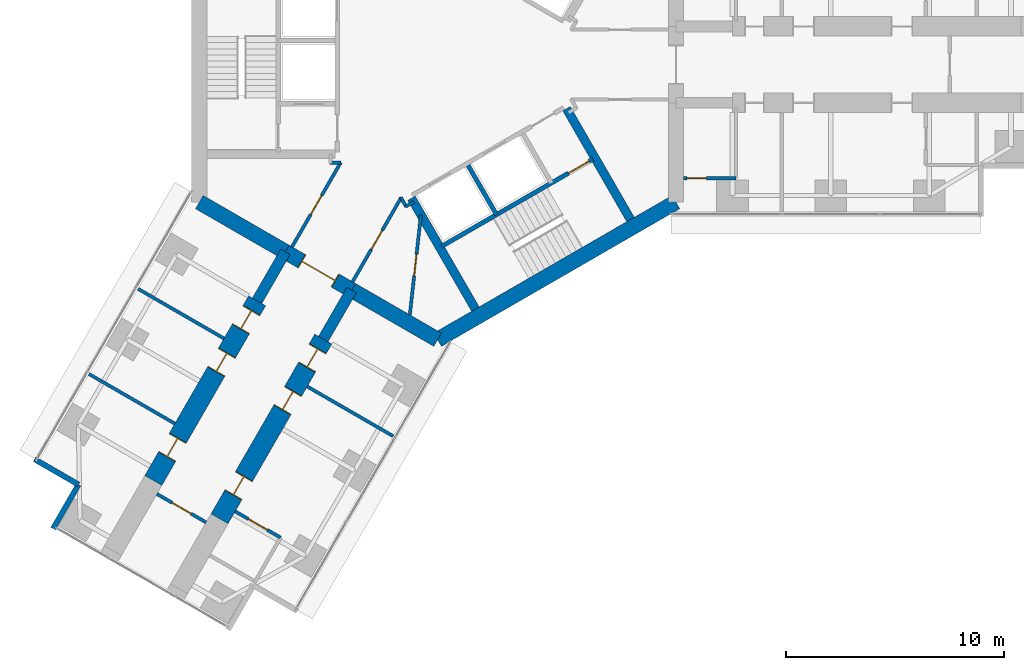
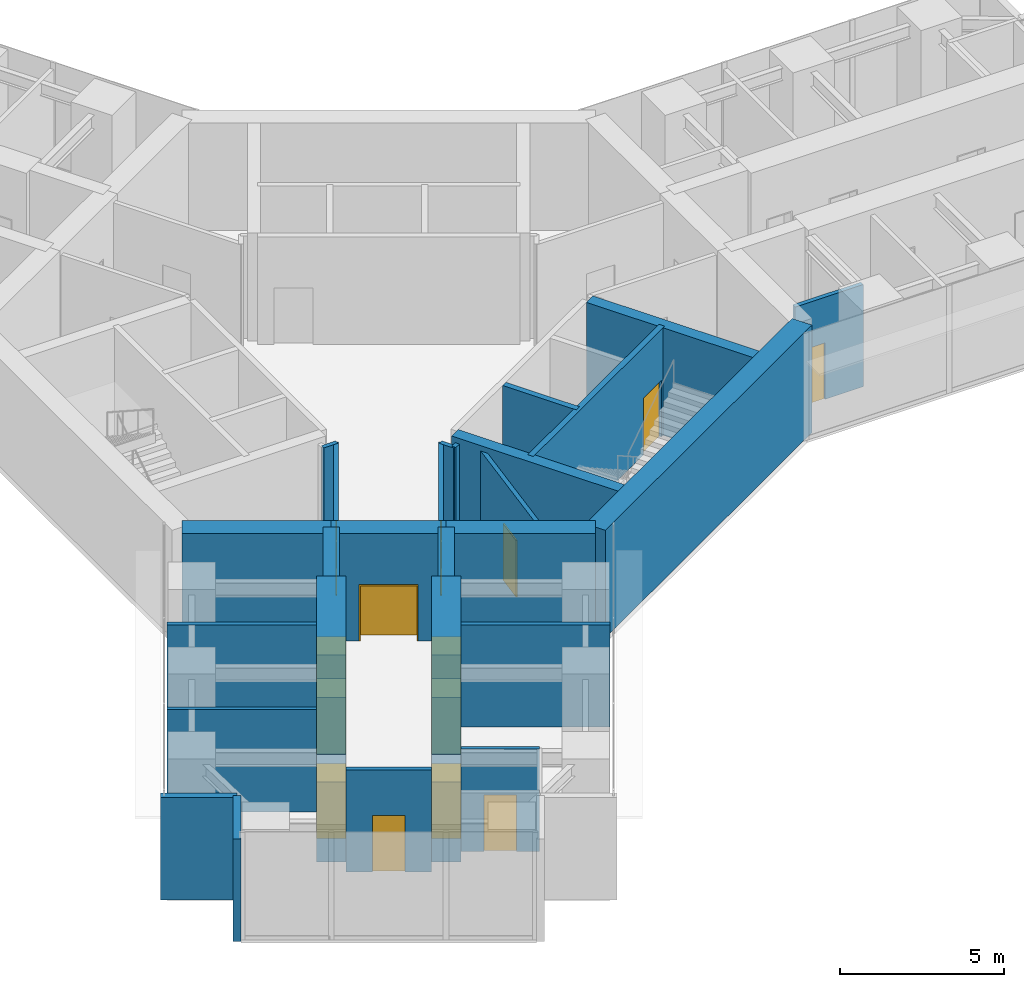
# One storey, part 16 of 24: 26 walls, 14 doors, 14 openings.
"""IFC4 building model written with IfcOpenShell, lengths in metres."""

import ifcopenshell
import ifcopenshell.guid

model = None  # the IFC model being written
_history = None  # IfcOwnerHistory: only IFC2X3 demands one
_inside = {}  # id of a spatial element -> (the spatial element, [elements in it])
_under = {}  # id of a project, library or spatial element -> (it, [spatial elements below it])
_declared = {}  # id of a project -> (the project, [libraries it declares])
_typed = {}  # id of a type object -> (the type object, [elements of that type])
_made_of = {}  # id of a material, layer set ... -> (it, [elements and type objects made of it])


def new_model(schema):
    """Start an empty IFC model of exactly this schema.

    Asked for "IFC4X3", IfcOpenShell would pick the latest addendum, in which some entities
    have other attributes; the version numbers below select the first issue.
    IFC2X3 requires an IfcOwnerHistory on every rooted entity: one is made here for all.
    """
    global model, _history
    if schema == "IFC4X3":
        model = ifcopenshell.file(schema_version=(4, 3, 0, 0))
    else:
        model = ifcopenshell.file(schema=schema)
    _inside.clear()
    _under.clear()
    _declared.clear()
    _typed.clear()
    _made_of.clear()
    _history = None
    if model.schema == "IFC2X3":
        org = make("IfcOrganization", Name="unknown")
        user = make(
            "IfcPersonAndOrganization",
            ThePerson=make("IfcPerson", FamilyName="unknown"),
            TheOrganization=org,
        )
        app = make(
            "IfcApplication",
            ApplicationDeveloper=org,
            Version="unknown",
            ApplicationFullName="unknown",
            ApplicationIdentifier="unknown",
        )
        _history = make(
            "IfcOwnerHistory",
            OwningUser=user,
            OwningApplication=app,
            ChangeAction="ADDED",
            CreationDate=0,
        )
    return model


def make(cls, **values):
    """One entity of the class cls with the attributes given. An attribute that is None is left unset."""
    return model.create_entity(
        cls, **{name: value for name, value in values.items() if value is not None}
    )


def rooted(cls, **values):
    """An entity with a GlobalId (a new one), such as an element, a storey or a relation."""
    return make(cls, GlobalId=ifcopenshell.guid.new(), OwnerHistory=_history, **values)


def si_unit(unit_type, name, prefix=None):
    """IfcSIUnit, for example si_unit("LENGTHUNIT", "METRE", prefix="MILLI")."""
    return make("IfcSIUnit", UnitType=unit_type, Prefix=prefix, Name=name)


def assignment(units):
    """IfcUnitAssignment: the units of a project."""
    return None if units is None else make("IfcUnitAssignment", Units=units)


def point(xyz):
    """IfcCartesianPoint."""
    return None if xyz is None else make("IfcCartesianPoint", Coordinates=xyz)


def direction(xyz):
    """IfcDirection."""
    return None if xyz is None else make("IfcDirection", DirectionRatios=xyz)


def frame(location, z_axis=None, x_axis=None):
    """IfcAxis2Placement3D, a coordinate frame: its origin and axes. An axis left out is left unset."""
    return make(
        "IfcAxis2Placement3D",
        Location=point(location),
        Axis=direction(z_axis),
        RefDirection=direction(x_axis),
    )


def frame_2d(location, x_axis=None):
    """IfcAxis2Placement2D, a coordinate frame in the plane: its origin and x axis."""
    return make(
        "IfcAxis2Placement2D", Location=point(location), RefDirection=direction(x_axis)
    )


def origin():
    """The frame at (0, 0, 0) with its axes left unset."""
    return frame((0.0, 0.0, 0.0))


def place(relative_to, where):
    """IfcLocalPlacement: puts the frame where relative to a parent placement (None: the world)."""
    return make(
        "IfcLocalPlacement", PlacementRelTo=relative_to, RelativePlacement=where
    )


def context(
    kind, dimensions, precision=None, world=None, true_north=None, identifier=None
):
    """IfcGeometricRepresentationContext, for example the 3D "Model" context."""
    return make(
        "IfcGeometricRepresentationContext",
        ContextIdentifier=identifier,
        ContextType=kind,
        CoordinateSpaceDimension=dimensions,
        Precision=precision,
        WorldCoordinateSystem=world,
        TrueNorth=true_north,
    )


def subcontext(parent, identifier, kind, view, scale=None):
    """IfcGeometricRepresentationSubContext, for example "Body" below "Model"."""
    return make(
        "IfcGeometricRepresentationSubContext",
        ContextIdentifier=identifier,
        ContextType=kind,
        ParentContext=parent,
        TargetScale=scale,
        TargetView=view,
    )


def project(units=None, contexts=None):
    """IfcProject with its units and contexts."""
    return rooted(
        "IfcProject",
        Name="project",
        RepresentationContexts=contexts,
        UnitsInContext=assignment(units),
    )


def spatial(cls, under=None, at=None, **own):
    """A site, building, storey or space (cls), placed at a placement, below another one or the project."""
    s = rooted(cls, ObjectPlacement=at, **own)
    if under is not None:
        _under.setdefault(under.id(), (under, []))[1].append(s)
    return s


def profile(cls, at=None, kind="AREA", **sizes):
    """A parametric profile (cls). Its sizes go by their IFC names, for example OverallWidth=200.0."""
    return make(cls, ProfileType=kind, Position=at, **sizes)


def rectangle(**sizes):
    """IfcRectangleProfileDef."""
    return profile("IfcRectangleProfileDef", **sizes)


def extrude(swept, where, along, depth):
    """IfcExtrudedAreaSolid: the profile swept, set in the frame where, extruded along a direction by depth."""
    return make(
        "IfcExtrudedAreaSolid",
        SweptArea=swept,
        Position=where,
        ExtrudedDirection=direction(along),
        Depth=depth,
    )


def shape(context_of_items, identifier, shape_type, items):
    """IfcShapeRepresentation: the items that make up one representation, for example the "Body"."""
    return make(
        "IfcShapeRepresentation",
        ContextOfItems=context_of_items,
        RepresentationIdentifier=identifier,
        RepresentationType=shape_type,
        Items=items,
    )


def material(Name=None, Category=None):
    """IfcMaterial."""
    return make("IfcMaterial", Name=Name, Category=Category)


def layer(
    of_material, thickness, ventilated=None, Name=None, Category=None, Priority=None
):
    """IfcMaterialLayer: one layer of a wall or slab, of a material (None: an air gap)."""
    return make(
        "IfcMaterialLayer",
        Material=of_material,
        LayerThickness=thickness,
        IsVentilated=ventilated,
        Name=Name,
        Category=Category,
        Priority=Priority,
    )


def layer_set(layers, Name=None):
    """IfcMaterialLayerSet."""
    return make("IfcMaterialLayerSet", MaterialLayers=layers, LayerSetName=Name)


def made_of(thing, what):
    """Note that an element or type object is made of a material, layer set ...; save() writes the relation."""
    if what is not None:
        _made_of.setdefault(what.id(), (what, []))[1].append(thing)
    return thing


def type_object(cls, material=None, **own):
    """A type object (cls), such as IfcWallType, which elements share."""
    return made_of(rooted(cls, **own), material)


def element(
    cls,
    number,
    at=None,
    inside=None,
    cuts=None,
    type_object=None,
    material=None,
    context=None,
    identifier="Body",
    shape_type=None,
    held_by="IfcProductDefinitionShape",
    body=None,
    shapes=None,
    **own,
):
    """One element of the class cls, such as IfcWall. Its Tag is "e" and its number.

    at: its placement. inside: the storey or other place that contains it. cuts: it is an
    opening in that element (IfcRelVoidsElement). A single representation is given by context,
    identifier, shape_type and body (its items); several are given by shapes. held_by: the class
    of the entity that holds the representations. save() writes the other relations.
    """
    e = rooted(cls, Tag="e%d" % number, ObjectPlacement=at, **own)
    if body is not None:
        shapes = [shape(context, identifier, shape_type, body)]
    if shapes is not None:
        e.Representation = make(held_by, Representations=shapes)
    if inside is not None:
        _inside.setdefault(inside.id(), (inside, []))[1].append(e)
    if cuts is not None:
        rooted(
            "IfcRelVoidsElement", RelatingBuildingElement=cuts, RelatedOpeningElement=e
        )
    if type_object is not None:
        _typed.setdefault(type_object.id(), (type_object, []))[1].append(e)
    return made_of(e, material)


def fill(opening, filler):
    """IfcRelFillsElement: the door or window that sits in an opening."""
    return rooted(
        "IfcRelFillsElement",
        RelatingOpeningElement=opening,
        RelatedBuildingElement=filler,
    )


def aggregate(whole, parts):
    """IfcRelAggregates: a whole, such as a stair, and the parts it consists of."""
    return rooted("IfcRelAggregates", RelatingObject=whole, RelatedObjects=parts)


def save(model, path):
    """Write the relations noted so far, then the file.

    IfcRelAggregates (storeys below a building ...), IfcRelContainedInSpatialStructure (elements
    in a storey), IfcRelDefinesByType, IfcRelAssociatesMaterial and IfcRelDeclares: one each for
    every whole, place, type object, material and project.
    """
    for whole, parts in _under.values():
        aggregate(whole, parts)
    for where, things in _inside.values():
        rooted(
            "IfcRelContainedInSpatialStructure",
            RelatedElements=things,
            RelatingStructure=where,
        )
    for kind, things in _typed.values():
        rooted("IfcRelDefinesByType", RelatedObjects=things, RelatingType=kind)
    for what, things in _made_of.values():
        rooted("IfcRelAssociatesMaterial", RelatedObjects=things, RelatingMaterial=what)
    for by, libraries in _declared.values():
        rooted("IfcRelDeclares", RelatingContext=by, RelatedDefinitions=libraries)
    model.write(path)


model = new_model("IFC4")

# Units and contexts
model_context = context("Model", 3, precision=1e-05, world=origin(), true_north=direction((0.0, 1.0)))
body_context = subcontext(model_context, "Body", "Model", "MODEL_VIEW")
ifc_project = project(units=[si_unit("LENGTHUNIT", "METRE"), si_unit("AREAUNIT", "SQUARE_METRE"), si_unit("VOLUMEUNIT", "CUBIC_METRE"), si_unit("PLANEANGLEUNIT", "RADIAN"), si_unit("MASSUNIT", "GRAM", prefix="KILO")], contexts=[model_context])

# Site, building, storey
site_placement = place(None, origin())
site = spatial("IfcSite", under=ifc_project, at=site_placement, CompositionType="ELEMENT")
building_placement = place(site_placement, origin())
building = spatial("IfcBuilding", under=site, at=building_placement, Name="Upepo Twin Towers", CompositionType="ELEMENT")
storey_placement = place(building_placement, frame((0.0, 0.0, 56.5)))
storey = spatial("IfcBuildingStorey", under=building, at=storey_placement, Name="L13", CompositionType="ELEMENT", Elevation=56.5)

# Walls
ifc_material_1 = material(Name="Concrete C60/75", Category="concrete")
ifc_layer_1 = layer(ifc_material_1, 0.5)
ifc_layer_set_1 = layer_set([ifc_layer_1], Name="Concrete C60/75")
wall_type_1 = type_object("IfcWallType", Name="Buttress wall 500 RC", PredefinedType="SHEAR", material=ifc_layer_set_1)
for number, where, z_axis, x_axis, name in (
    (1, (-3.938720703125, -10.32177734375, 0.0), (0.0, 0.0, 1.0), (-0.499918158782, -0.866072649678, 0.0), "T1 wing C buttress wall L"),
    (2, (-6.9697265625, -8.57177734375, 0.0), (0.0, 0.0, 1.0), (-0.499988811324, -0.866031863473, 0.0), "T1 wing C buttress wall R"),
):
    element("IfcWall", number, at=place(storey_placement, frame(where, z_axis=z_axis, x_axis=x_axis)), inside=storey, type_object=wall_type_1, Name=name, PredefinedType="SHEAR", context=body_context, shape_type="SweptSolid", body=[
        extrude(rectangle(XDim=2.591796875, YDim=0.5, at=frame_2d((1.2958984375, 0.0))), origin(), (0.0, 0.0, 1.0), 4.0),
    ])

# Wall, openings, doors
ifc_material_2 = material(Name="Concrete C60/75", Category="concrete")
ifc_layer_2 = layer(ifc_material_2, 0.89990234375)
ifc_layer_set_2 = layer_set([ifc_layer_2], Name="Concrete C60/75")
wall_type_2 = type_object("IfcWallType", Name="Buttress wall 900 RC", PredefinedType="SHEAR", material=ifc_layer_set_2)
wall_1_placement = place(storey_placement, frame((-5.234375, -12.56640625, 0.0), z_axis=(0.0, 0.0, 1.0), x_axis=(-0.499997557548, -0.86602681393, 0.0)))
wall_1 = element("IfcWall", 3, at=wall_1_placement, inside=storey, type_object=wall_type_2, Name="T1 wing C buttress wall L part 2", PredefinedType="SHEAR", context=body_context, shape_type="SweptSolid", body=[
    extrude(rectangle(XDim=9.5, YDim=0.89990234375, at=frame_2d((4.75, 0.0))), origin(), (0.0, 0.0, 1.0), 4.0),
])
opening_1_placement = place(wall_1_placement, frame((0.5, 0.0, 0.0)))
opening_1 = element("IfcOpeningElement", 4, at=opening_1_placement, cuts=wall_1, Name="Opening D1", PredefinedType="OPENING", context=body_context, shape_type="SweptSolid", body=[
    extrude(rectangle(XDim=1.0, YDim=2.10009765625, at=frame_2d((0.5, 1.050048828125))), frame((0.0, 0.4599609375, 0.0), z_axis=(0.0, -1.0, 0.0), x_axis=(1.0, 0.0, 0.0)), (0.0, 0.0, 1.0), 0.919921875),
])
opening_2_placement = place(wall_1_placement, frame((2.75, 0.0, 0.0)))
opening_2 = element("IfcOpeningElement", 5, at=opening_2_placement, cuts=wall_1, Name="Opening D1", PredefinedType="OPENING", context=body_context, shape_type="SweptSolid", body=[
    extrude(rectangle(XDim=1.0, YDim=2.10009765625, at=frame_2d((0.5, 1.050048828125))), frame((0.0, 0.4599609375, 0.0), z_axis=(0.0, -1.0, 0.0), x_axis=(1.0, 0.0, 0.0)), (0.0, 0.0, 1.0), 0.919921875),
])
opening_3_placement = place(wall_1_placement, frame((7.25, 0.0, 0.0)))
opening_3 = element("IfcOpeningElement", 6, at=opening_3_placement, cuts=wall_1, Name="Opening D1", PredefinedType="OPENING", context=body_context, shape_type="SweptSolid", body=[
    extrude(rectangle(XDim=1.0, YDim=2.10009765625, at=frame_2d((0.5, 1.050048828125))), frame((0.0, 0.4599609375, 0.0), z_axis=(0.0, -1.0, 0.0), x_axis=(1.0, 0.0, 0.0)), (0.0, 0.0, 1.0), 0.919921875),
])
ifc_material_3 = material(Name="Timber doorset", Category="wood")
door_type_1 = type_object("IfcDoorType", Name="Room door 1000 FD30", OperationType="SINGLE_SWING_LEFT", PredefinedType="DOOR", material=ifc_material_3)
door_1_placement = place(opening_1_placement, origin())
door_1 = element("IfcDoor", 7, at=door_1_placement, inside=storey, type_object=door_type_1, Name="T1 L13 tutorial room door", OperationType="SINGLE_SWING_LEFT", OverallHeight=2.10009765625, OverallWidth=1.0, PredefinedType="DOOR", context=body_context, shape_type="SweptSolid", body=[
    extrude(rectangle(XDim=0.92, YDim=2.06009765625, at=frame_2d((0.5, 1.030029296875))), frame((0.0, 0.02490234375, 0.0), z_axis=(0.0, -1.0, 0.0), x_axis=(1.0, 0.0, 0.0)), (0.0, 0.0, 1.0), 0.050048828125),
    extrude(rectangle(XDim=0.04, YDim=2.10009765625, at=frame_2d((0.02001953125, 1.050048828125))), frame((0.0, 0.44970703125, 0.0), z_axis=(0.0, -1.0, 0.0), x_axis=(1.0, 0.0, 0.0)), (0.0, 0.0, 1.0), 0.8994140625),
    extrude(rectangle(XDim=0.04, YDim=2.10009765625, at=frame_2d((0.97998046875, 1.050048828125))), frame((0.0, 0.44970703125, 0.0), z_axis=(0.0, -1.0, 0.0), x_axis=(1.0, 0.0, 0.0)), (0.0, 0.0, 1.0), 0.8994140625),
    extrude(rectangle(XDim=0.92, YDim=0.04, at=frame_2d((0.5, 2.080078125))), frame((0.0, 0.44970703125, 0.0), z_axis=(0.0, -1.0, 0.0), x_axis=(1.0, 0.0, 0.0)), (0.0, 0.0, 1.0), 0.8994140625),
])
fill(opening_1, door_1)
door_2_placement = place(opening_2_placement, origin())
door_2 = element("IfcDoor", 8, at=door_2_placement, inside=storey, type_object=door_type_1, Name="T1 L13 teaching laboratory door", OperationType="SINGLE_SWING_LEFT", OverallHeight=2.10009765625, OverallWidth=1.0, PredefinedType="DOOR", context=body_context, shape_type="SweptSolid", body=[
    extrude(rectangle(XDim=0.92, YDim=2.06009765625, at=frame_2d((0.5, 1.030029296875))), frame((0.0, 0.02490234375, 0.0), z_axis=(0.0, -1.0, 0.0), x_axis=(1.0, 0.0, 0.0)), (0.0, 0.0, 1.0), 0.050048828125),
    extrude(rectangle(XDim=0.04, YDim=2.10009765625, at=frame_2d((0.02001953125, 1.050048828125))), frame((0.0, 0.44970703125, 0.0), z_axis=(0.0, -1.0, 0.0), x_axis=(1.0, 0.0, 0.0)), (0.0, 0.0, 1.0), 0.8994140625),
    extrude(rectangle(XDim=0.04, YDim=2.10009765625, at=frame_2d((0.97998046875, 1.050048828125))), frame((0.0, 0.44970703125, 0.0), z_axis=(0.0, -1.0, 0.0), x_axis=(1.0, 0.0, 0.0)), (0.0, 0.0, 1.0), 0.8994140625),
    extrude(rectangle(XDim=0.92, YDim=0.04, at=frame_2d((0.5, 2.080078125))), frame((0.0, 0.44970703125, 0.0), z_axis=(0.0, -1.0, 0.0), x_axis=(1.0, 0.0, 0.0)), (0.0, 0.0, 1.0), 0.8994140625),
])
fill(opening_2, door_2)
door_3_placement = place(opening_3_placement, origin())
door_3 = element("IfcDoor", 9, at=door_3_placement, inside=storey, type_object=door_type_1, Name="T1 L13 teaching laboratory door", OperationType="SINGLE_SWING_RIGHT", OverallHeight=2.10009765625, OverallWidth=1.0, PredefinedType="DOOR", context=body_context, shape_type="SweptSolid", body=[
    extrude(rectangle(XDim=0.92, YDim=2.06009765625, at=frame_2d((0.5, 1.030029296875))), frame((0.0, 0.02490234375, 0.0), z_axis=(0.0, -1.0, 0.0), x_axis=(1.0, 0.0, 0.0)), (0.0, 0.0, 1.0), 0.050048828125),
    extrude(rectangle(XDim=0.04, YDim=2.10009765625, at=frame_2d((0.02001953125, 1.050048828125))), frame((0.0, 0.44970703125, 0.0), z_axis=(0.0, -1.0, 0.0), x_axis=(1.0, 0.0, 0.0)), (0.0, 0.0, 1.0), 0.8994140625),
    extrude(rectangle(XDim=0.04, YDim=2.10009765625, at=frame_2d((0.97998046875, 1.050048828125))), frame((0.0, 0.44970703125, 0.0), z_axis=(0.0, -1.0, 0.0), x_axis=(1.0, 0.0, 0.0)), (0.0, 0.0, 1.0), 0.8994140625),
    extrude(rectangle(XDim=0.92, YDim=0.04, at=frame_2d((0.5, 2.080078125))), frame((0.0, 0.44970703125, 0.0), z_axis=(0.0, -1.0, 0.0), x_axis=(1.0, 0.0, 0.0)), (0.0, 0.0, 1.0), 0.8994140625),
])
fill(opening_3, door_3)

wall_2_placement = place(storey_placement, frame((-8.265625, -10.81640625, 0.0), z_axis=(0.0, 0.0, 1.0), x_axis=(-0.499997557548, -0.86602681393, 0.0)))
wall_2 = element("IfcWall", 10, at=wall_2_placement, inside=storey, type_object=wall_type_2, Name="T1 wing C buttress wall R part 2", PredefinedType="SHEAR", context=body_context, shape_type="SweptSolid", body=[
    extrude(rectangle(XDim=9.5, YDim=0.89990234375, at=frame_2d((4.75, 0.0))), origin(), (0.0, 0.0, 1.0), 4.0),
])
opening_4_placement = place(wall_2_placement, frame((0.5, 0.0, 0.0)))
opening_4 = element("IfcOpeningElement", 11, at=opening_4_placement, cuts=wall_2, Name="Opening D1", PredefinedType="OPENING", context=body_context, shape_type="SweptSolid", body=[
    extrude(rectangle(XDim=1.0, YDim=2.10009765625, at=frame_2d((0.5, 1.050048828125))), frame((0.0, 0.4599609375, 0.0), z_axis=(0.0, -1.0, 0.0), x_axis=(1.0, 0.0, 0.0)), (0.0, 0.0, 1.0), 0.919921875),
])
opening_5_placement = place(wall_2_placement, frame((2.75, 0.0, 0.0)))
opening_5 = element("IfcOpeningElement", 12, at=opening_5_placement, cuts=wall_2, Name="Opening D1", PredefinedType="OPENING", context=body_context, shape_type="SweptSolid", body=[
    extrude(rectangle(XDim=1.0, YDim=2.10009765625, at=frame_2d((0.5, 1.050048828125))), frame((0.0, 0.4599609375, 0.0), z_axis=(0.0, -1.0, 0.0), x_axis=(1.0, 0.0, 0.0)), (0.0, 0.0, 1.0), 0.919921875),
])
opening_6_placement = place(wall_2_placement, frame((7.25, 0.0, 0.0)))
opening_6 = element("IfcOpeningElement", 13, at=opening_6_placement, cuts=wall_2, Name="Opening D1", PredefinedType="OPENING", context=body_context, shape_type="SweptSolid", body=[
    extrude(rectangle(XDim=1.0, YDim=2.10009765625, at=frame_2d((0.5, 1.050048828125))), frame((0.0, 0.4599609375, 0.0), z_axis=(0.0, -1.0, 0.0), x_axis=(1.0, 0.0, 0.0)), (0.0, 0.0, 1.0), 0.919921875),
])
door_4_placement = place(opening_4_placement, origin())
door_4 = element("IfcDoor", 14, at=door_4_placement, inside=storey, type_object=door_type_1, Name="T1 L13 computing laboratory door", OperationType="SINGLE_SWING_LEFT", OverallHeight=2.10009765625, OverallWidth=1.0, PredefinedType="DOOR", context=body_context, shape_type="SweptSolid", body=[
    extrude(rectangle(XDim=0.92, YDim=2.06009765625, at=frame_2d((0.5, 1.030029296875))), frame((0.0, 0.02490234375, 0.0), z_axis=(0.0, -1.0, 0.0), x_axis=(1.0, 0.0, 0.0)), (0.0, 0.0, 1.0), 0.050048828125),
    extrude(rectangle(XDim=0.04, YDim=2.10009765625, at=frame_2d((0.02001953125, 1.050048828125))), frame((0.0, 0.44970703125, 0.0), z_axis=(0.0, -1.0, 0.0), x_axis=(1.0, 0.0, 0.0)), (0.0, 0.0, 1.0), 0.8994140625),
    extrude(rectangle(XDim=0.04, YDim=2.10009765625, at=frame_2d((0.97998046875, 1.050048828125))), frame((0.0, 0.44970703125, 0.0), z_axis=(0.0, -1.0, 0.0), x_axis=(1.0, 0.0, 0.0)), (0.0, 0.0, 1.0), 0.8994140625),
    extrude(rectangle(XDim=0.92, YDim=0.04, at=frame_2d((0.5, 2.080078125))), frame((0.0, 0.44970703125, 0.0), z_axis=(0.0, -1.0, 0.0), x_axis=(1.0, 0.0, 0.0)), (0.0, 0.0, 1.0), 0.8994140625),
])
fill(opening_4, door_4)
door_5_placement = place(opening_5_placement, origin())
door_5 = element("IfcDoor", 15, at=door_5_placement, inside=storey, type_object=door_type_1, Name="T1 L13 seminar room door", OperationType="SINGLE_SWING_LEFT", OverallHeight=2.10009765625, OverallWidth=1.0, PredefinedType="DOOR", context=body_context, shape_type="SweptSolid", body=[
    extrude(rectangle(XDim=0.92, YDim=2.06009765625, at=frame_2d((0.5, 1.030029296875))), frame((0.0, 0.02490234375, 0.0), z_axis=(0.0, -1.0, 0.0), x_axis=(1.0, 0.0, 0.0)), (0.0, 0.0, 1.0), 0.050048828125),
    extrude(rectangle(XDim=0.04, YDim=2.10009765625, at=frame_2d((0.02001953125, 1.050048828125))), frame((0.0, 0.44970703125, 0.0), z_axis=(0.0, -1.0, 0.0), x_axis=(1.0, 0.0, 0.0)), (0.0, 0.0, 1.0), 0.8994140625),
    extrude(rectangle(XDim=0.04, YDim=2.10009765625, at=frame_2d((0.97998046875, 1.050048828125))), frame((0.0, 0.44970703125, 0.0), z_axis=(0.0, -1.0, 0.0), x_axis=(1.0, 0.0, 0.0)), (0.0, 0.0, 1.0), 0.8994140625),
    extrude(rectangle(XDim=0.92, YDim=0.04, at=frame_2d((0.5, 2.080078125))), frame((0.0, 0.44970703125, 0.0), z_axis=(0.0, -1.0, 0.0), x_axis=(1.0, 0.0, 0.0)), (0.0, 0.0, 1.0), 0.8994140625),
])
fill(opening_5, door_5)
door_6_placement = place(opening_6_placement, origin())
door_6 = element("IfcDoor", 16, at=door_6_placement, inside=storey, type_object=door_type_1, Name="T1 L13 staff office door", OperationType="SINGLE_SWING_RIGHT", OverallHeight=2.10009765625, OverallWidth=1.0, PredefinedType="DOOR", context=body_context, shape_type="SweptSolid", body=[
    extrude(rectangle(XDim=0.92, YDim=2.06009765625, at=frame_2d((0.5, 1.030029296875))), frame((0.0, 0.02490234375, 0.0), z_axis=(0.0, -1.0, 0.0), x_axis=(1.0, 0.0, 0.0)), (0.0, 0.0, 1.0), 0.050048828125),
    extrude(rectangle(XDim=0.04, YDim=2.10009765625, at=frame_2d((0.02001953125, 1.050048828125))), frame((0.0, 0.44970703125, 0.0), z_axis=(0.0, -1.0, 0.0), x_axis=(1.0, 0.0, 0.0)), (0.0, 0.0, 1.0), 0.8994140625),
    extrude(rectangle(XDim=0.04, YDim=2.10009765625, at=frame_2d((0.97998046875, 1.050048828125))), frame((0.0, 0.44970703125, 0.0), z_axis=(0.0, -1.0, 0.0), x_axis=(1.0, 0.0, 0.0)), (0.0, 0.0, 1.0), 0.8994140625),
    extrude(rectangle(XDim=0.92, YDim=0.04, at=frame_2d((0.5, 2.080078125))), frame((0.0, 0.44970703125, 0.0), z_axis=(0.0, -1.0, 0.0), x_axis=(1.0, 0.0, 0.0)), (0.0, 0.0, 1.0), 0.8994140625),
])
fill(opening_6, door_6)

# Wall
ifc_material_4 = material(Name="Concrete C60/75", Category="concrete")
ifc_layer_3 = layer(ifc_material_4, 0.699951171875)
ifc_layer_set_3 = layer_set([ifc_layer_3], Name="Concrete C60/75")
wall_type_3 = type_object("IfcWallType", Name="Core wall 700 RC", PredefinedType="SHEAR", material=ifc_layer_set_3)
wall_3_placement = place(storey_placement, frame((-10.908447265625, -6.2978515625, 0.0), z_axis=(0.0, 0.0, 1.0), x_axis=(0.866034513004, -0.499984222037, 0.0)))
element("IfcWall", 17, at=wall_3_placement, inside=storey, type_object=wall_type_3, Name="T1 core wall 240 R", PredefinedType="SHEAR", context=body_context, shape_type="SweptSolid", body=[
    extrude(rectangle(XDim=4.548095703125, YDim=0.699951171875, at=frame_2d((2.27392578125, 0.0))), origin(), (0.0, 0.0, 1.0), 4.0),
])

# Wall, opening, door
wall_4_placement = place(storey_placement, frame((-6.9697265625, -8.57177734375, 0.0), z_axis=(0.0, 0.0, 1.0), x_axis=(0.866019471182, -0.500010275428, 0.0)))
wall_4 = element("IfcWall", 18, at=wall_4_placement, inside=storey, type_object=wall_type_3, Name="T1 core wall 240", PredefinedType="SHEAR", context=body_context, shape_type="SweptSolid", body=[
    extrude(rectangle(XDim=3.5, YDim=0.699951171875, at=frame_2d((1.75, 0.0))), origin(), (0.0, 0.0, 1.0), 4.0),
])
opening_7_placement = place(wall_4_placement, frame((0.85009765625, 0.0, 0.0)))
opening_7 = element("IfcOpeningElement", 19, at=opening_7_placement, cuts=wall_4, Name="Opening D2", PredefinedType="OPENING", context=body_context, shape_type="SweptSolid", body=[
    extrude(rectangle(XDim=1.800048828125, YDim=2.10009765625, at=frame_2d((0.89990234375, 1.050048828125))), frame((0.0, 0.35986328125, 0.0), z_axis=(0.0, -1.0, 0.0), x_axis=(1.0, 0.0, 0.0)), (0.0, 0.0, 1.0), 0.719970703125),
])
ifc_material_5 = material(Name="Timber doorset", Category="wood")
door_type_2 = type_object("IfcDoorType", Name="Corridor double door 1800 FD60", OperationType="DOUBLE_DOOR_DOUBLE_SWING", PredefinedType="DOOR", material=ifc_material_5)
door_7_placement = place(opening_7_placement, origin())
door_7 = element("IfcDoor", 20, at=door_7_placement, inside=storey, type_object=door_type_2, Name="T1 L13 wing C corridor door", OperationType="DOUBLE_DOOR_DOUBLE_SWING", OverallHeight=2.10009765625, OverallWidth=1.800048828125, PredefinedType="DOOR", context=body_context, shape_type="SweptSolid", body=[
    extrude(rectangle(XDim=1.720048828125, YDim=2.06009765625, at=frame_2d((0.89990234375, 1.030029296875))), frame((0.0, 0.02490234375, 0.0), z_axis=(0.0, -1.0, 0.0), x_axis=(1.0, 0.0, 0.0)), (0.0, 0.0, 1.0), 0.050048828125),
    extrude(rectangle(XDim=0.04, YDim=2.10009765625, at=frame_2d((0.02001953125, 1.050048828125))), frame((0.0, 0.349609375, 0.0), z_axis=(0.0, -1.0, 0.0), x_axis=(1.0, 0.0, 0.0)), (0.0, 0.0, 1.0), 0.699462890625),
    extrude(rectangle(XDim=0.04, YDim=2.10009765625, at=frame_2d((1.780029296875, 1.050048828125))), frame((0.0, 0.349609375, 0.0), z_axis=(0.0, -1.0, 0.0), x_axis=(1.0, 0.0, 0.0)), (0.0, 0.0, 1.0), 0.699462890625),
    extrude(rectangle(XDim=1.720048828125, YDim=0.04, at=frame_2d((0.89990234375, 2.080078125))), frame((0.0, 0.349609375, 0.0), z_axis=(0.0, -1.0, 0.0), x_axis=(1.0, 0.0, 0.0)), (0.0, 0.0, 1.0), 0.699462890625),
])
fill(opening_7, door_7)

# Walls
wall_5_placement = place(storey_placement, frame((-3.938720703125, -10.32177734375, 0.0), z_axis=(0.0, 0.0, 1.0), x_axis=(0.866011268655, -0.500024481964, 0.0)))
element("IfcWall", 21, at=wall_5_placement, inside=storey, type_object=wall_type_3, Name="T1 core wall 240 L", PredefinedType="SHEAR", context=body_context, shape_type="SweptSolid", body=[
    extrude(rectangle(XDim=4.548095703125, YDim=0.699951171875, at=frame_2d((2.27392578125, 0.0))), origin(), (0.0, 0.0, 1.0), 4.0),
])
wall_6_placement = place(storey_placement, frame((0.0, -12.595947265625, 0.0), z_axis=(0.0, 0.0, 1.0), x_axis=(0.866021940709, 0.500005998175, 0.0)))
element("IfcWall", 22, at=wall_6_placement, inside=storey, type_object=wall_type_3, Name="T1 core wall 300", PredefinedType="SHEAR", context=body_context, shape_type="SweptSolid", body=[
    extrude(rectangle(XDim=12.595947265625, YDim=0.699951171875, at=frame_2d((6.2978515625, 0.0))), origin(), (0.0, 0.0, 1.0), 4.0),
])
ifc_material_6 = material(Name="Blockwork with anodised aluminium cladding", Category="masonry")
ifc_layer_4 = layer(ifc_material_6, 0.25)
ifc_layer_set_4 = layer_set([ifc_layer_4], Name="Notch cladding wall 250, pale metal")
wall_type_4 = type_object("IfcWallType", Name="Notch cladding wall 250, pale metal", PredefinedType="STANDARD", material=ifc_layer_set_4)
for number, where, z_axis, x_axis, name in (
    (23, (-18.456298828125, -18.0673828125, 0.0), (0.0, 0.0, 1.0), (0.865998469481, -0.500046648681, 0.0), "T1 L13 wing C notch wall R1"),
    (24, (-16.44287109375, -19.22998046875, 0.0), (0.0, 0.0, 1.0), (-0.500046648681, -0.865998469481, 0.0), "T1 L13 wing C notch wall R2"),
):
    element("IfcWall", number, at=place(storey_placement, frame(where, z_axis=z_axis, x_axis=x_axis)), inside=storey, type_object=wall_type_4, Name=name, PredefinedType="STANDARD", context=body_context, shape_type="SweptSolid", body=[
        extrude(rectangle(XDim=2.324951171875, YDim=0.25, at=frame_2d((1.16259765625, 0.0))), origin(), (0.0, 0.0, 1.0), 3.800048828125),
    ])
ifc_material_7 = material(Name="Concrete C40/50", Category="concrete")
ifc_layer_5 = layer(ifc_material_7, 0.199951171875)
ifc_layer_set_5 = layer_set([ifc_layer_5], Name="Concrete C40/50")
wall_type_5 = type_object("IfcWallType", Name="Shaft wall 200 RC", PredefinedType="SHEAR", material=ifc_layer_set_5)
wall_7_placement = place(storey_placement, frame((1.3974609375, -4.620361328125, 0.0), z_axis=(0.0, 0.0, 1.0), x_axis=(0.499936506574, -0.866062058628, 0.0)))
element("IfcWall", 25, at=wall_7_placement, inside=storey, type_object=wall_type_5, Name="T1 core W300 shaft divider", PredefinedType="SHEAR", context=body_context, shape_type="SweptSolid", body=[
    extrude(rectangle(XDim=2.599853515625, YDim=0.199951171875, at=frame_2d((1.2998046875, 0.0))), origin(), (0.0, 0.0, 1.0), 4.0),
])

# Wall, opening, door
wall_8_placement = place(storey_placement, frame((0.185791015625, -8.322021484375, 0.0), z_axis=(0.0, 0.0, 1.0), x_axis=(0.866026010844, 0.49999894854, 0.0)))
wall_8 = element("IfcWall", 26, at=wall_8_placement, inside=storey, type_object=wall_type_5, Name="T1 core W300 stair wall", PredefinedType="SHEAR", context=body_context, shape_type="SweptSolid", body=[
    extrude(rectangle(XDim=8.0, YDim=0.199951171875, at=frame_2d((4.0, 0.0))), origin(), (0.0, 0.0, 1.0), 4.0),
])
opening_8_placement = place(wall_8_placement, frame((6.699951171875, 0.0, 0.0)))
opening_8 = element("IfcOpeningElement", 27, at=opening_8_placement, cuts=wall_8, Name="Opening D3", PredefinedType="OPENING", context=body_context, shape_type="SweptSolid", body=[
    extrude(rectangle(XDim=1.10009765625, YDim=2.10009765625, at=frame_2d((0.550048828125, 1.050048828125))), frame((0.0, 0.10986328125, 0.0), z_axis=(0.0, -1.0, 0.0), x_axis=(1.0, 0.0, 0.0)), (0.0, 0.0, 1.0), 0.219970703125),
])
ifc_material_8 = material(Name="Timber doorset", Category="wood")
door_type_3 = type_object("IfcDoorType", Name="Stair door 1100 FD60", OperationType="SINGLE_SWING_LEFT", PredefinedType="DOOR", material=ifc_material_8)
door_8_placement = place(opening_8_placement, origin())
door_8 = element("IfcDoor", 28, at=door_8_placement, inside=storey, type_object=door_type_3, Name="T1 L13 stair door", OperationType="SINGLE_SWING_RIGHT", OverallHeight=2.10009765625, OverallWidth=1.10009765625, PredefinedType="DOOR", context=body_context, shape_type="SweptSolid", body=[
    extrude(rectangle(XDim=1.10009765625, YDim=2.10009765625, at=frame_2d((0.550048828125, 1.050048828125))), frame((0.0, 0.02490234375, 0.0), z_axis=(0.0, -1.0, 0.0), x_axis=(1.0, 0.0, 0.0)), (0.0, 0.0, 1.0), 0.050048828125),
])
fill(opening_8, door_8)

# Walls
ifc_material_9 = material(Name="Concrete C40/50", Category="concrete")
ifc_layer_6 = layer(ifc_material_9, 0.39990234375)
ifc_layer_set_6 = layer_set([ifc_layer_6], Name="Concrete C40/50")
wall_type_6 = type_object("IfcWallType", Name="Shaft wall 400 RC", PredefinedType="SHEAR", material=ifc_layer_set_6)
for number, where, z_axis, x_axis, name in (
    (29, (5.900634765625, -2.020263671875, 0.0), (0.0, 0.0, 1.0), (0.500002627198, -0.866023886965, 0.0), "T1 core W300 side wall N"),
    (30, (-1.20068359375, -6.120361328125, 0.0), (0.0, 0.0, 1.0), (0.500002627198, -0.866023886965, 0.0), "T1 core W300 side wall S"),
):
    element("IfcWall", number, at=place(storey_placement, frame(where, z_axis=z_axis, x_axis=x_axis)), inside=storey, type_object=wall_type_6, Name=name, PredefinedType="SHEAR", context=body_context, shape_type="SweptSolid", body=[
        extrude(rectangle(XDim=5.8583984375, YDim=0.39990234375, at=frame_2d((2.92919921875, 0.0))), origin(), (0.0, 0.0, 1.0), 4.0),
    ])

# Wall, opening, door
ifc_material_10 = material(Name="Gypsum board on steel studs", Category="steel")
ifc_layer_7 = layer(ifc_material_10, 0.14990234375)
ifc_layer_set_7 = layer_set([ifc_layer_7], Name="Teaching partition 150 acoustic")
wall_type_7 = type_object("IfcWallType", Name="Teaching partition 150 acoustic", PredefinedType="PARTITIONING", material=ifc_layer_set_7)
wall_9_placement = place(storey_placement, frame((11.258056640625, -5.199951171875, 0.0), z_axis=(0.0, 0.0, 1.0), x_axis=(1.0, 0.0, 0.0)))
wall_9 = element("IfcWall", 31, at=wall_9_placement, inside=storey, type_object=wall_type_7, Name="T1 WC bay partition AR at 11.26", PredefinedType="PARTITIONING", context=body_context, shape_type="SweptSolid", body=[
    extrude(rectangle(XDim=2.39990234375, YDim=0.14990234375, at=frame_2d((1.199951171875, 0.0))), origin(), (0.0, 0.0, 1.0), 3.800048828125),
])
opening_9_placement = place(wall_9_placement, frame((0.14990234375, 0.0, 0.0)))
opening_9 = element("IfcOpeningElement", 32, at=opening_9_placement, cuts=wall_9, Name="Opening D14", PredefinedType="OPENING", context=body_context, shape_type="SweptSolid", body=[
    extrude(rectangle(XDim=0.89990234375, YDim=2.10009765625, at=frame_2d((0.449951171875, 1.050048828125))), frame((0.0, 0.0849609375, 0.0), z_axis=(0.0, -1.0, 0.0), x_axis=(1.0, 0.0, 0.0)), (0.0, 0.0, 1.0), 0.169921875),
])
ifc_material_11 = material(Name="Timber doorset", Category="wood")
door_type_4 = type_object("IfcDoorType", Name="Office door 900 FD30", OperationType="SINGLE_SWING_LEFT", PredefinedType="DOOR", material=ifc_material_11)
door_9_placement = place(opening_9_placement, origin())
door_9 = element("IfcDoor", 33, at=door_9_placement, inside=storey, type_object=door_type_4, Name="T1 L13 WC bay inner room door", OperationType="SINGLE_SWING_LEFT", OverallHeight=2.10009765625, OverallWidth=0.89990234375, PredefinedType="DOOR", context=body_context, shape_type="SweptSolid", body=[
    extrude(rectangle(XDim=0.89990234375, YDim=2.10009765625, at=frame_2d((0.449951171875, 1.050048828125))), frame((0.0, 0.02490234375, 0.0), z_axis=(0.0, -1.0, 0.0), x_axis=(1.0, 0.0, 0.0)), (0.0, 0.0, 1.0), 0.050048828125),
])
fill(opening_9, door_9)

# Wall
wall_10_placement = place(storey_placement, frame((-5.9697265625, -14.739990234375, 0.0), z_axis=(0.0, 0.0, 1.0), x_axis=(0.866035472144, -0.499982560684, 0.0)))
element("IfcWall", 34, at=wall_10_placement, inside=storey, type_object=wall_type_7, Name="T1 partition CL at 15.75", PredefinedType="PARTITIONING", context=body_context, shape_type="SweptSolid", body=[
    extrude(rectangle(XDim=4.550048828125, YDim=0.14990234375, at=frame_2d((2.27490234375, 0.0))), origin(), (0.0, 0.0, 1.0), 3.800048828125),
])

# Wall, opening, door
wall_11_placement = place(storey_placement, frame((-9.269775390625, -20.45556640625, 0.0), z_axis=(0.0, 0.0, 1.0), x_axis=(0.866006032174, -0.500033551112, 0.0)))
wall_11 = element("IfcWall", 35, at=wall_11_placement, inside=storey, type_object=wall_type_7, Name="T1 inner room partition CL end at 22.35", PredefinedType="PARTITIONING", context=body_context, shape_type="SweptSolid", body=[
    extrude(rectangle(XDim=2.400146484375, YDim=0.14990234375, at=frame_2d((1.2001953125, 0.0))), origin(), (0.0, 0.0, 1.0), 3.800048828125),
])
opening_10_placement = place(wall_11_placement, frame((0.699951171875, 0.0, 0.0)))
opening_10 = element("IfcOpeningElement", 36, at=opening_10_placement, cuts=wall_11, Name="Opening D1", PredefinedType="OPENING", context=body_context, shape_type="SweptSolid", body=[
    extrude(rectangle(XDim=1.0, YDim=2.10009765625, at=frame_2d((0.5, 1.050048828125))), frame((0.0, 0.0849609375, 0.0), z_axis=(0.0, -1.0, 0.0), x_axis=(1.0, 0.0, 0.0)), (0.0, 0.0, 1.0), 0.169921875),
])
door_10_placement = place(opening_10_placement, origin())
door_10 = element("IfcDoor", 37, at=door_10_placement, inside=storey, type_object=door_type_1, Name="T1 L13 inner room door", OperationType="SINGLE_SWING_LEFT", OverallHeight=2.10009765625, OverallWidth=1.0, PredefinedType="DOOR", context=body_context, shape_type="SweptSolid", body=[
    extrude(rectangle(XDim=1.0, YDim=2.10009765625, at=frame_2d((0.5, 1.050048828125))), frame((0.0, 0.02490234375, 0.0), z_axis=(0.0, -1.0, 0.0), x_axis=(1.0, 0.0, 0.0)), (0.0, 0.0, 1.0), 0.050048828125),
])
fill(opening_10, door_10)

# Walls
for number, where, z_axis, x_axis, name in (
    (38, (-9.7802734375, -12.539794921875, 0.0), (0.0, 0.0, 1.0), (-0.866035472144, 0.499982560684, 0.0), "T1 partition CR at 15.75"),
    (39, (-12.0302734375, -16.43701171875, 0.0), (0.0, 0.0, 1.0), (-0.866035472144, 0.499982560684, 0.0), "T1 partition CR at 20.25"),
):
    element("IfcWall", number, at=place(storey_placement, frame(where, z_axis=z_axis, x_axis=x_axis)), inside=storey, type_object=wall_type_7, Name=name, PredefinedType="PARTITIONING", context=body_context, shape_type="SweptSolid", body=[
        extrude(rectangle(XDim=4.550048828125, YDim=0.14990234375, at=frame_2d((2.27490234375, 0.0))), origin(), (0.0, 0.0, 1.0), 3.800048828125),
    ])
wall_12_placement = place(storey_placement, frame((-1.092041015625, -6.28857421875, 0.0), z_axis=(0.0, 0.0, 1.0), x_axis=(-0.866138304741, -0.499804398801, 0.0)))
element("IfcWall", 40, at=wall_12_placement, inside=storey, type_object=wall_type_7, Name="T1 core room partition 2", PredefinedType="PARTITIONING", context=body_context, shape_type="SweptSolid", body=[
    extrude(rectangle(XDim=0.429931640625, YDim=0.14990234375, at=frame_2d((0.21484375, 0.0))), origin(), (0.0, 0.0, 1.0), 3.800048828125),
])
wall_13_placement = place(storey_placement, frame((-1.43701171875, -6.5107421875, 0.0), z_axis=(0.0, 0.0, 1.0), x_axis=(-0.50033519877, 0.865831790172, 0.0)))
element("IfcWall", 41, at=wall_13_placement, inside=storey, type_object=wall_type_7, Name="T1 core room partition 3", PredefinedType="PARTITIONING", context=body_context, shape_type="SweptSolid", body=[
    extrude(rectangle(XDim=0.494384765625, YDim=0.14990234375, at=frame_2d((0.2470703125, 0.0))), origin(), (0.0, 0.0, 1.0), 3.800048828125),
])

# Wall, opening, door
wall_14_placement = place(storey_placement, frame((-1.664306640625, -6.082763671875, 0.0), z_axis=(0.0, 0.0, 1.0), x_axis=(-0.499999927604, -0.866025445582, 0.0)))
wall_14 = element("IfcWall", 42, at=wall_14_placement, inside=storey, type_object=wall_type_7, Name="T1 core room partition 4", PredefinedType="PARTITIONING", context=body_context, shape_type="SweptSolid", body=[
    extrude(rectangle(XDim=4.46826171875, YDim=0.14990234375, at=frame_2d((2.234130859375, 0.0))), origin(), (0.0, 0.0, 1.0), 3.800048828125),
])
opening_11_placement = place(wall_14_placement, frame((1.744384765625, 0.0, 0.0)))
opening_11 = element("IfcOpeningElement", 43, at=opening_11_placement, cuts=wall_14, Name="Opening D1", PredefinedType="OPENING", context=body_context, shape_type="SweptSolid", body=[
    extrude(rectangle(XDim=1.0, YDim=2.10009765625, at=frame_2d((0.5, 1.050048828125))), frame((0.0, 0.0849609375, 0.0), z_axis=(0.0, -1.0, 0.0), x_axis=(1.0, 0.0, 0.0)), (0.0, 0.0, 1.0), 0.169921875),
])
door_11_placement = place(opening_11_placement, origin())
door_11 = element("IfcDoor", 44, at=door_11_placement, inside=storey, type_object=door_type_1, Name="T1 L13 core room door K2", OperationType="SINGLE_SWING_RIGHT", OverallHeight=2.10009765625, OverallWidth=1.0, PredefinedType="DOOR", context=body_context, shape_type="SweptSolid", body=[
    extrude(rectangle(XDim=1.0, YDim=2.10009765625, at=frame_2d((0.5, 1.050048828125))), frame((0.0, 0.02490234375, 0.0), z_axis=(0.0, -1.0, 0.0), x_axis=(1.0, 0.0, 0.0)), (0.0, 0.0, 1.0), 0.050048828125),
])
fill(opening_11, door_11)

wall_15_placement = place(storey_placement, frame((-6.669921875, -8.3525390625, 0.0), z_axis=(0.0, 0.0, 1.0), x_axis=(0.500017246033, 0.866015446554, 0.0)))
wall_15 = element("IfcWall", 45, at=wall_15_placement, inside=storey, type_object=wall_type_7, Name="T1 core room partition 5", PredefinedType="PARTITIONING", context=body_context, shape_type="SweptSolid", body=[
    extrude(rectangle(XDim=4.468505859375, YDim=0.14990234375, at=frame_2d((2.234375, 0.0))), origin(), (0.0, 0.0, 1.0), 3.800048828125),
])
opening_12_placement = place(wall_15_placement, frame((1.72412109375, 0.0, 0.0)))
opening_12 = element("IfcOpeningElement", 46, at=opening_12_placement, cuts=wall_15, Name="Opening D1", PredefinedType="OPENING", context=body_context, shape_type="SweptSolid", body=[
    extrude(rectangle(XDim=1.0, YDim=2.10009765625, at=frame_2d((0.5, 1.050048828125))), frame((0.0, 0.0849609375, 0.0), z_axis=(0.0, -1.0, 0.0), x_axis=(1.0, 0.0, 0.0)), (0.0, 0.0, 1.0), 0.169921875),
])
door_12_placement = place(opening_12_placement, origin())
door_12 = element("IfcDoor", 47, at=door_12_placement, inside=storey, type_object=door_type_1, Name="T1 L13 core room door K1", OperationType="SINGLE_SWING_LEFT", OverallHeight=2.10009765625, OverallWidth=1.0, PredefinedType="DOOR", context=body_context, shape_type="SweptSolid", body=[
    extrude(rectangle(XDim=1.0, YDim=2.10009765625, at=frame_2d((0.5, 1.050048828125))), frame((0.0, 0.02490234375, 0.0), z_axis=(0.0, -1.0, 0.0), x_axis=(1.0, 0.0, 0.0)), (0.0, 0.0, 1.0), 0.050048828125),
])
fill(opening_12, door_12)

# Wall
wall_16_placement = place(storey_placement, frame((-4.425537109375, -4.5, 0.0), z_axis=(0.0, 0.0, 1.0), x_axis=(-1.0, 0.0, 0.0)))
element("IfcWall", 48, at=wall_16_placement, inside=storey, type_object=wall_type_7, Name="T1 core room partition 6", PredefinedType="PARTITIONING", context=body_context, shape_type="SweptSolid", body=[
    extrude(rectangle(XDim=0.494384765625, YDim=0.14990234375, at=frame_2d((0.2470703125, 0.0))), origin(), (0.0, 0.0, 1.0), 3.800048828125),
])

# Wall, opening, door
wall_17_placement = place(storey_placement, frame((-0.763916015625, -6.876953125, 0.0), z_axis=(0.0, 0.0, 1.0), x_axis=(-0.110408266965, -0.993886318744, 0.0)))
wall_17 = element("IfcWall", 49, at=wall_17_placement, inside=storey, type_object=wall_type_7, Name="T1 core room partition 19", PredefinedType="PARTITIONING", context=body_context, shape_type="SweptSolid", body=[
    extrude(rectangle(XDim=4.608154296875, YDim=0.14990234375, at=frame_2d((2.30419921875, 0.0))), origin(), (0.0, 0.0, 1.0), 3.800048828125),
])
opening_13_placement = place(wall_17_placement, frame((1.80419921875, 0.0, 0.0)))
opening_13 = element("IfcOpeningElement", 50, at=opening_13_placement, cuts=wall_17, Name="Opening D1", PredefinedType="OPENING", context=body_context, shape_type="SweptSolid", body=[
    extrude(rectangle(XDim=1.0, YDim=2.10009765625, at=frame_2d((0.5, 1.050048828125))), frame((0.0, 0.0849609375, 0.0), z_axis=(0.0, -1.0, 0.0), x_axis=(1.0, 0.0, 0.0)), (0.0, 0.0, 1.0), 0.169921875),
])
door_13_placement = place(opening_13_placement, origin())
door_13 = element("IfcDoor", 51, at=door_13_placement, inside=storey, type_object=door_type_1, Name="T1 L13 core room door K3", OperationType="SINGLE_SWING_LEFT", OverallHeight=2.10009765625, OverallWidth=1.0, PredefinedType="DOOR", context=body_context, shape_type="SweptSolid", body=[
    extrude(rectangle(XDim=1.0, YDim=2.10009765625, at=frame_2d((0.5, 1.050048828125))), frame((0.0, 0.02490234375, 0.0), z_axis=(0.0, -1.0, 0.0), x_axis=(1.0, 0.0, 0.0)), (0.0, 0.0, 1.0), 0.050048828125),
])
fill(opening_13, door_13)

wall_18_placement = place(storey_placement, frame((-12.850830078125, -19.658203125, 0.0), z_axis=(0.0, 0.0, 1.0), x_axis=(0.866021400173, -0.500006934395, 0.0)))
wall_18 = element("IfcWall", 52, at=wall_18_placement, inside=storey, type_object=wall_type_7, Name="T1 corridor end partition C at 23.45", PredefinedType="PARTITIONING", context=body_context, shape_type="SweptSolid", body=[
    extrude(rectangle(XDim=2.60009765625, YDim=0.14990234375, at=frame_2d((1.300048828125, 0.0))), origin(), (0.0, 0.0, 1.0), 3.800048828125),
])
opening_14_placement = place(wall_18_placement, frame((0.800048828125, 0.0, 0.0)))
opening_14 = element("IfcOpeningElement", 53, at=opening_14_placement, cuts=wall_18, Name="Opening D1", PredefinedType="OPENING", context=body_context, shape_type="SweptSolid", body=[
    extrude(rectangle(XDim=1.0, YDim=2.10009765625, at=frame_2d((0.5, 1.050048828125))), frame((0.0, 0.0849609375, 0.0), z_axis=(0.0, -1.0, 0.0), x_axis=(1.0, 0.0, 0.0)), (0.0, 0.0, 1.0), 0.169921875),
])
door_14_placement = place(opening_14_placement, origin())
door_14 = element("IfcDoor", 54, at=door_14_placement, inside=storey, type_object=door_type_1, Name="T1 L13 breakout study room door", OperationType="SINGLE_SWING_LEFT", OverallHeight=2.10009765625, OverallWidth=1.0, PredefinedType="DOOR", context=body_context, shape_type="SweptSolid", body=[
    extrude(rectangle(XDim=1.0, YDim=2.10009765625, at=frame_2d((0.5, 1.050048828125))), frame((0.0, 0.02490234375, 0.0), z_axis=(0.0, -1.0, 0.0), x_axis=(1.0, 0.0, 0.0)), (0.0, 0.0, 1.0), 0.050048828125),
])
fill(opening_14, door_14)

save(model, "model.ifc")
